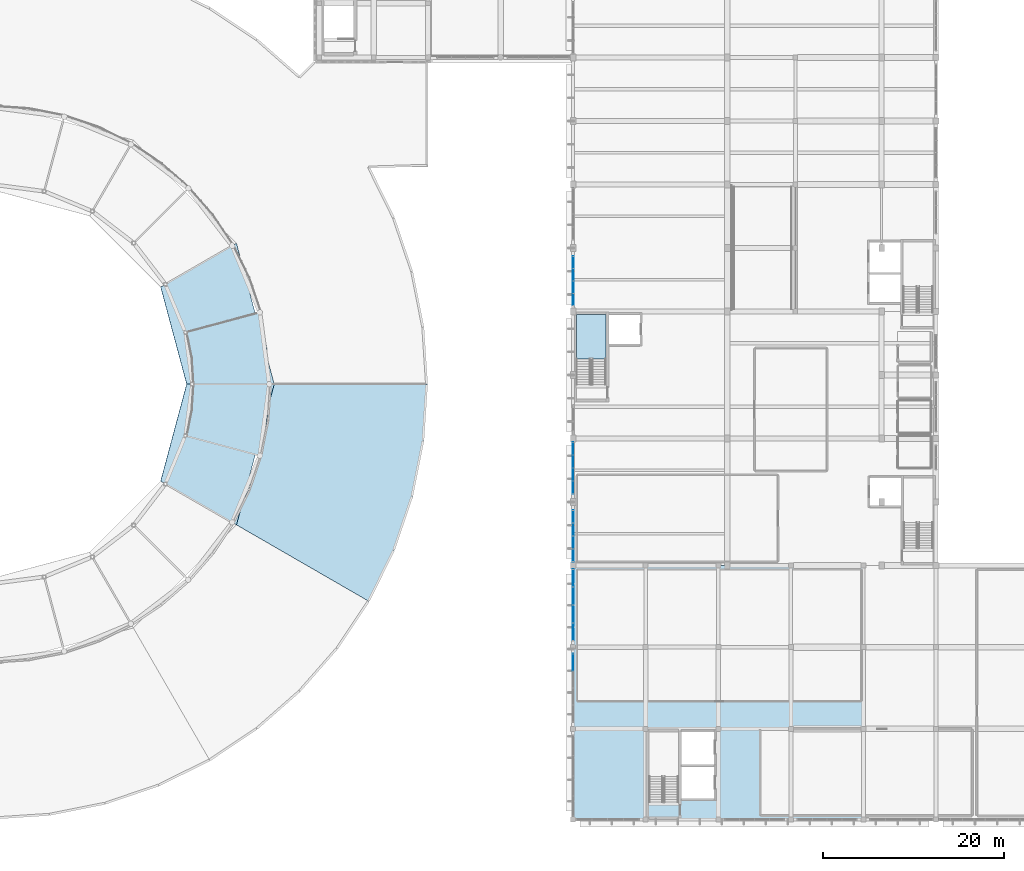
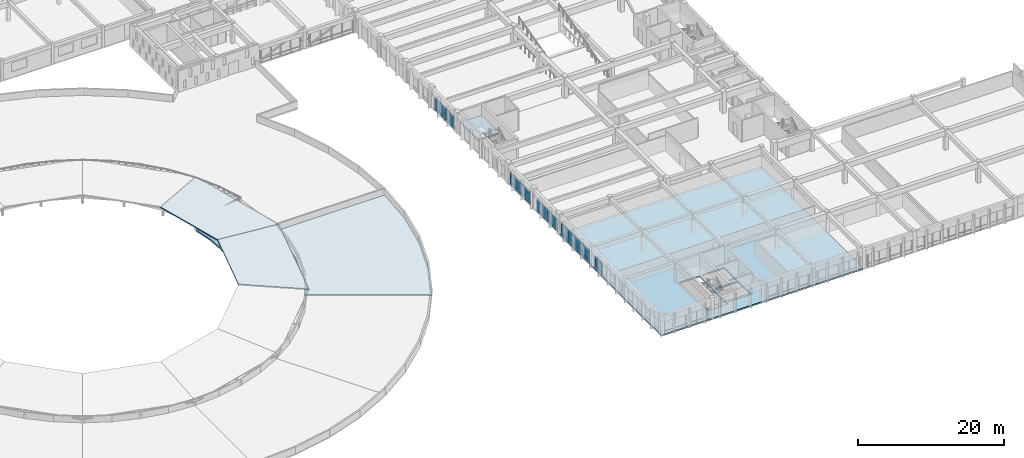
# One storey, part 46 of 77: 34 plates, 6 slabs, 8 elements without a shape of their own.
"""IFC4 building model written with IfcOpenShell, lengths in metres."""

from ifc_helpers import new_model, si_unit, direction, frame, origin, origin_2d, place, context, subcontext, project, spatial, polyline, rectangle, outline, extrude, material, layer, layer_set, type_object, element, aggregate, save


model = new_model("IFC4")

# Units and contexts
model_context = context("Model", 3, precision=1e-05, world=origin(), true_north=direction((0.0, 1.0)))
body_context = subcontext(model_context, "Body", "Model", "MODEL_VIEW")
ifc_project = project(units=[si_unit("LENGTHUNIT", "METRE"), si_unit("AREAUNIT", "SQUARE_METRE"), si_unit("VOLUMEUNIT", "CUBIC_METRE"), si_unit("PLANEANGLEUNIT", "RADIAN"), si_unit("MASSUNIT", "GRAM", prefix="KILO")], contexts=[model_context])

# Site, building, storey
site_placement = place(None, origin())
site = spatial("IfcSite", under=ifc_project, at=site_placement, CompositionType="ELEMENT")
building_placement = place(site_placement, origin())
building = spatial("IfcBuilding", under=site, at=building_placement, Name="Larkveld Mobility Hub", CompositionType="ELEMENT")
storey_placement = place(building_placement, frame((0.0, 0.0, 12.0)))
storey = spatial("IfcBuildingStorey", under=building, at=storey_placement, Name="L03", CompositionType="ELEMENT", Elevation=12.0)

# Curtain wall, plates
ifc_material_1 = material(Name="Anodised aluminium 6063-T6", Category="aluminium")
curtain_wall_type_1 = type_object("IfcCurtainWallType", Name="CW-SYS-10", PredefinedType="NOTDEFINED", material=ifc_material_1)
curtain_wall_1_placement = place(storey_placement, origin())
curtain_wall_1 = element("IfcCurtainWall", 1, at=curtain_wall_1_placement, inside=storey, type_object=curtain_wall_type_1, Name="EV Wing West Glazing L03 CW-142", PredefinedType="NOTDEFINED")
ifc_material_2 = material(Name="Low-E laminated solar-control double glazing", Category="glass")
ifc_layer_1 = layer(ifc_material_2, 0.028076171875, Name="Low-E laminated solar-control double glazing", Category="glass")
ifc_layer_set_1 = layer_set([ifc_layer_1], Name="Low-E laminated solar-control double glazing")
plate_type_1 = type_object("IfcPlateType", Name="CW-PNL-GL01", PredefinedType="CURTAIN_PANEL", material=ifc_layer_set_1)
plate_1_placement = place(storey_placement, frame((112.0, 33.37890625, 0.552001953125), z_axis=(0.0, 0.0, 1.0), x_axis=(0.0, -1.0, 0.0)))
plate_1 = element("IfcPlate", 2, at=plate_1_placement, type_object=plate_type_1, Name="CW10 panel 1", PredefinedType="CURTAIN_PANEL", context=body_context, shape_type="SweptSolid", body=[
    extrude(rectangle(XDim=1.39208984375, YDim=0.028076171875, at=origin_2d()), origin(), (0.0, 0.0, 1.0), 1.6259765625),
])
plate_2_placement = place(storey_placement, frame((112.0, 31.966064453125, 0.552001953125), z_axis=(0.0, 0.0, 1.0), x_axis=(0.0, -1.0, 0.0)))
plate_2 = element("IfcPlate", 3, at=plate_2_placement, type_object=plate_type_1, Name="CW10 panel 2", PredefinedType="CURTAIN_PANEL", context=body_context, shape_type="SweptSolid", body=[
    extrude(rectangle(XDim=1.412109375, YDim=0.028076171875, at=origin_2d()), origin(), (0.0, 0.0, 1.0), 1.6259765625),
])
plate_3_placement = place(storey_placement, frame((112.0, 30.5439453125, 0.552001953125), z_axis=(0.0, 0.0, 1.0), x_axis=(0.0, -1.0, 0.0)))
plate_3 = element("IfcPlate", 4, at=plate_3_placement, type_object=plate_type_1, Name="CW10 panel 3", PredefinedType="CURTAIN_PANEL", context=body_context, shape_type="SweptSolid", body=[
    extrude(rectangle(XDim=1.412109375, YDim=0.028076171875, at=origin_2d()), origin(), (0.0, 0.0, 1.0), 1.6259765625),
])
plate_4_placement = place(storey_placement, frame((112.0, 29.132080078125, 0.552001953125), z_axis=(0.0, 0.0, 1.0), x_axis=(0.0, -1.0, 0.0)))
plate_4 = element("IfcPlate", 5, at=plate_4_placement, type_object=plate_type_1, Name="CW10 panel 4", PredefinedType="CURTAIN_PANEL", context=body_context, shape_type="SweptSolid", body=[
    extrude(rectangle(XDim=1.39208984375, YDim=0.028076171875, at=origin_2d()), origin(), (0.0, 0.0, 1.0), 1.6259765625),
])

curtain_wall_type_2 = type_object("IfcCurtainWallType", Name="CW-SYS-02", PredefinedType="NOTDEFINED", material=ifc_material_1)
curtain_wall_2_placement = place(storey_placement, origin())
curtain_wall_2 = element("IfcCurtainWall", 6, at=curtain_wall_2_placement, inside=storey, type_object=curtain_wall_type_2, Name="Public Passage East Service Facade L03 CW-122", PredefinedType="NOTDEFINED")
ifc_material_3 = material(Name="Acoustic solar-control laminated double glazing", Category="glass")
ifc_layer_2 = layer(ifc_material_3, 0.031982421875, Name="Acoustic solar-control laminated double glazing", Category="glass")
ifc_layer_set_2 = layer_set([ifc_layer_2], Name="Acoustic solar-control laminated double glazing")
plate_type_2 = type_object("IfcPlateType", Name="CW-PNL-GL02", PredefinedType="CURTAIN_PANEL", material=ifc_layer_set_2)
plate_5_placement = place(storey_placement, frame((112.0, 26.595947265625, 0.552001953125), z_axis=(0.0, 0.0, 1.0), x_axis=(0.0, -1.0, 0.0)))
plate_5 = element("IfcPlate", 7, at=plate_5_placement, type_object=plate_type_2, Name="CW02 panel 1", PredefinedType="CURTAIN_PANEL", context=body_context, shape_type="SweptSolid", body=[
    extrude(rectangle(XDim=1.93896484375, YDim=0.031982421875, at=origin_2d()), origin(), (0.0, 0.0, 1.0), 1.6259765625),
])
plate_6_placement = place(storey_placement, frame((112.0, 24.636962890625, 0.552001953125), z_axis=(0.0, 0.0, 1.0), x_axis=(0.0, -1.0, 0.0)))
plate_6 = element("IfcPlate", 8, at=plate_6_placement, type_object=plate_type_2, Name="CW02 panel 2", PredefinedType="CURTAIN_PANEL", context=body_context, shape_type="SweptSolid", body=[
    extrude(rectangle(XDim=1.958984375, YDim=0.031982421875, at=origin_2d()), origin(), (0.0, 0.0, 1.0), 1.6259765625),
])
plate_7_placement = place(storey_placement, frame((112.0, 22.66796875, 0.552001953125), z_axis=(0.0, 0.0, 1.0), x_axis=(0.0, -1.0, 0.0)))
plate_7 = element("IfcPlate", 9, at=plate_7_placement, type_object=plate_type_2, Name="CW02 panel 3", PredefinedType="CURTAIN_PANEL", context=body_context, shape_type="SweptSolid", body=[
    extrude(rectangle(XDim=1.958984375, YDim=0.031982421875, at=origin_2d()), origin(), (0.0, 0.0, 1.0), 1.6259765625),
])
plate_8_placement = place(storey_placement, frame((112.0, 20.708984375, 0.552001953125), z_axis=(0.0, 0.0, 1.0), x_axis=(0.0, -1.0, 0.0)))
plate_8 = element("IfcPlate", 10, at=plate_8_placement, type_object=plate_type_2, Name="CW02 panel 4", PredefinedType="CURTAIN_PANEL", context=body_context, shape_type="SweptSolid", body=[
    extrude(rectangle(XDim=1.93896484375, YDim=0.031982421875, at=origin_2d()), origin(), (0.0, 0.0, 1.0), 1.6259765625),
])

# Curtain wall, plate
curtain_wall_type_3 = type_object("IfcCurtainWallType", Name="CW-SYS-03", PredefinedType="NOTDEFINED", material=ifc_material_1)
curtain_wall_3_placement = place(storey_placement, origin())
curtain_wall_3 = element("IfcCurtainWall", 11, at=curtain_wall_3_placement, inside=storey, type_object=curtain_wall_type_3, Name="Public Passage East Service Facade L03 CW-123", PredefinedType="NOTDEFINED")
ifc_material_4 = material(Name="Tinted safety double glazing", Category="glass")
ifc_layer_3 = layer(ifc_material_4, 0.035888671875, Name="Tinted safety double glazing", Category="glass")
ifc_layer_set_3 = layer_set([ifc_layer_3], Name="Tinted safety double glazing")
plate_type_3 = type_object("IfcPlateType", Name="CW-PNL-GL03", PredefinedType="CURTAIN_PANEL", material=ifc_layer_set_3)
plate_9_placement = place(storey_placement, frame((112.0, 17.327880859375, 0.552001953125), z_axis=(0.0, 0.0, 1.0), x_axis=(0.0, -1.0, 0.0)))
plate_9 = element("IfcPlate", 12, at=plate_9_placement, type_object=plate_type_3, Name="CW03 panel 1", PredefinedType="CURTAIN_PANEL", context=body_context, shape_type="SweptSolid", body=[
    extrude(rectangle(XDim=1.863037109375, YDim=0.035888671875, at=origin_2d()), origin(), (0.0, 0.0, 1.0), 1.6259765625),
])

# Curtain wall, plates
curtain_wall_type_4 = type_object("IfcCurtainWallType", Name="CW-SYS-09", PredefinedType="NOTDEFINED", material=ifc_material_1)
curtain_wall_4_placement = place(storey_placement, origin())
curtain_wall_4 = element("IfcCurtainWall", 13, at=curtain_wall_4_placement, inside=storey, type_object=curtain_wall_type_4, Name="EV Wing West Glazing L03 CW-141", PredefinedType="NOTDEFINED")
plate_10_placement = place(storey_placement, frame((112.0, 40.868896484375, 0.552001953125), z_axis=(0.0, 0.0, 1.0), x_axis=(0.0, -1.0, 0.0)))
plate_10 = element("IfcPlate", 14, at=plate_10_placement, type_object=plate_type_3, Name="CW09 panel 1", PredefinedType="CURTAIN_PANEL", context=body_context, shape_type="SweptSolid", body=[
    extrude(rectangle(XDim=1.39208984375, YDim=0.035888671875, at=origin_2d()), origin(), (0.0, 0.0, 1.0), 1.6259765625),
])
plate_11_placement = place(storey_placement, frame((112.0, 39.4560546875, 0.552001953125), z_axis=(0.0, 0.0, 1.0), x_axis=(0.0, -1.0, 0.0)))
plate_11 = element("IfcPlate", 15, at=plate_11_placement, type_object=plate_type_3, Name="CW09 panel 2", PredefinedType="CURTAIN_PANEL", context=body_context, shape_type="SweptSolid", body=[
    extrude(rectangle(XDim=1.412109375, YDim=0.035888671875, at=origin_2d()), origin(), (0.0, 0.0, 1.0), 1.6259765625),
])
plate_12_placement = place(storey_placement, frame((112.0, 38.033935546875, 0.552001953125), z_axis=(0.0, 0.0, 1.0), x_axis=(0.0, -1.0, 0.0)))
plate_12 = element("IfcPlate", 16, at=plate_12_placement, type_object=plate_type_3, Name="CW09 panel 3", PredefinedType="CURTAIN_PANEL", context=body_context, shape_type="SweptSolid", body=[
    extrude(rectangle(XDim=1.412109375, YDim=0.035888671875, at=origin_2d()), origin(), (0.0, 0.0, 1.0), 1.6259765625),
])
plate_13_placement = place(storey_placement, frame((112.0, 36.62109375, 0.552001953125), z_axis=(0.0, 0.0, 1.0), x_axis=(0.0, -1.0, 0.0)))
plate_13 = element("IfcPlate", 17, at=plate_13_placement, type_object=plate_type_3, Name="CW09 panel 4", PredefinedType="CURTAIN_PANEL", context=body_context, shape_type="SweptSolid", body=[
    extrude(rectangle(XDim=1.39208984375, YDim=0.035888671875, at=origin_2d()), origin(), (0.0, 0.0, 1.0), 1.6259765625),
])

curtain_wall_type_5 = type_object("IfcCurtainWallType", Name="CW-SYS-12", PredefinedType="NOTDEFINED", material=ifc_material_1)
curtain_wall_5_placement = place(storey_placement, origin())
curtain_wall_5 = element("IfcCurtainWall", 18, at=curtain_wall_5_placement, inside=storey, type_object=curtain_wall_type_5, Name="EV Wing West Glazing L03 CW-144", PredefinedType="NOTDEFINED")
plate_14_placement = place(storey_placement, frame((112.0, 61.406982421875, 0.552001953125), z_axis=(0.0, 0.0, 1.0), x_axis=(0.0, -1.0, 0.0)))
plate_14 = element("IfcPlate", 19, at=plate_14_placement, type_object=plate_type_3, Name="CW12 panel 1", PredefinedType="CURTAIN_PANEL", context=body_context, shape_type="SweptSolid", body=[
    extrude(rectangle(XDim=1.3349609375, YDim=0.035888671875, at=origin_2d()), origin(), (0.0, 0.0, 1.0), 1.6259765625),
])
plate_15_placement = place(storey_placement, frame((112.0, 60.052001953125, 0.552001953125), z_axis=(0.0, 0.0, 1.0), x_axis=(0.0, -1.0, 0.0)))
plate_15 = element("IfcPlate", 20, at=plate_15_placement, type_object=plate_type_3, Name="CW12 panel 2", PredefinedType="CURTAIN_PANEL", context=body_context, shape_type="SweptSolid", body=[
    extrude(rectangle(XDim=1.35498046875, YDim=0.035888671875, at=origin_2d()), origin(), (0.0, 0.0, 1.0), 1.6259765625),
])
plate_16_placement = place(storey_placement, frame((112.0, 58.68798828125, 0.552001953125), z_axis=(0.0, 0.0, 1.0), x_axis=(0.0, -1.0, 0.0)))
plate_16 = element("IfcPlate", 21, at=plate_16_placement, type_object=plate_type_3, Name="CW12 panel 3", PredefinedType="CURTAIN_PANEL", context=body_context, shape_type="SweptSolid", body=[
    extrude(rectangle(XDim=1.35498046875, YDim=0.035888671875, at=origin_2d()), origin(), (0.0, 0.0, 1.0), 1.6259765625),
])
plate_17_placement = place(storey_placement, frame((112.0, 57.33203125, 0.552001953125), z_axis=(0.0, 0.0, 1.0), x_axis=(0.0, -1.0, 0.0)))
plate_17 = element("IfcPlate", 22, at=plate_17_placement, type_object=plate_type_3, Name="CW12 panel 4", PredefinedType="CURTAIN_PANEL", context=body_context, shape_type="SweptSolid", body=[
    extrude(rectangle(XDim=1.3349609375, YDim=0.035888671875, at=origin_2d()), origin(), (0.0, 0.0, 1.0), 1.6259765625),
])

# Plate
ifc_material_5 = material(Name="Insulated fluoropolymer aluminium spandrel", Category="aluminium")
ifc_layer_4 = layer(ifc_material_5, 0.06494140625, Name="Insulated fluoropolymer aluminium spandrel", Category="aluminium")
ifc_layer_set_4 = layer_set([ifc_layer_4], Name="Insulated fluoropolymer aluminium spandrel")
plate_type_4 = type_object("IfcPlateType", Name="CW-PNL-SP01", PredefinedType="CURTAIN_PANEL", material=ifc_layer_set_4)
plate_18_placement = place(storey_placement, frame((112.0, 17.327880859375, 0.0), z_axis=(0.0, 0.0, 1.0), x_axis=(0.0, -1.0, 0.0)))
plate_18 = element("IfcPlate", 23, at=plate_18_placement, type_object=plate_type_4, Name="CW03 spandrel 1", PredefinedType="CURTAIN_PANEL", context=body_context, shape_type="SweptSolid", body=[
    extrude(rectangle(XDim=1.863037109375, YDim=0.06494140625, at=origin_2d()), origin(), (0.0, 0.0, 1.0), 0.5400390625),
])

aggregate(curtain_wall_3, [plate_18, plate_9])

plate_19_placement = place(storey_placement, frame((112.0, 40.868896484375, 0.0), z_axis=(0.0, 0.0, 1.0), x_axis=(0.0, -1.0, 0.0)))
plate_19 = element("IfcPlate", 24, at=plate_19_placement, type_object=plate_type_4, Name="CW09 spandrel 1", PredefinedType="CURTAIN_PANEL", context=body_context, shape_type="SweptSolid", body=[
    extrude(rectangle(XDim=1.39208984375, YDim=0.06494140625, at=origin_2d()), origin(), (0.0, 0.0, 1.0), 0.5400390625),
])

plate_20_placement = place(storey_placement, frame((112.0, 39.4560546875, 0.0), z_axis=(0.0, 0.0, 1.0), x_axis=(0.0, -1.0, 0.0)))
plate_20 = element("IfcPlate", 25, at=plate_20_placement, type_object=plate_type_4, Name="CW09 spandrel 2", PredefinedType="CURTAIN_PANEL", context=body_context, shape_type="SweptSolid", body=[
    extrude(rectangle(XDim=1.412109375, YDim=0.06494140625, at=origin_2d()), origin(), (0.0, 0.0, 1.0), 0.5400390625),
])

plate_21_placement = place(storey_placement, frame((112.0, 38.033935546875, 0.0), z_axis=(0.0, 0.0, 1.0), x_axis=(0.0, -1.0, 0.0)))
plate_21 = element("IfcPlate", 26, at=plate_21_placement, type_object=plate_type_4, Name="CW09 spandrel 3", PredefinedType="CURTAIN_PANEL", context=body_context, shape_type="SweptSolid", body=[
    extrude(rectangle(XDim=1.412109375, YDim=0.06494140625, at=origin_2d()), origin(), (0.0, 0.0, 1.0), 0.5400390625),
])

plate_22_placement = place(storey_placement, frame((112.0, 36.62109375, 0.0), z_axis=(0.0, 0.0, 1.0), x_axis=(0.0, -1.0, 0.0)))
plate_22 = element("IfcPlate", 27, at=plate_22_placement, type_object=plate_type_4, Name="CW09 spandrel 4", PredefinedType="CURTAIN_PANEL", context=body_context, shape_type="SweptSolid", body=[
    extrude(rectangle(XDim=1.39208984375, YDim=0.06494140625, at=origin_2d()), origin(), (0.0, 0.0, 1.0), 0.5400390625),
])

aggregate(curtain_wall_4, [plate_19, plate_10, plate_20, plate_11, plate_21, plate_12, plate_22, plate_13])

ifc_material_6 = material(Name="Insulated terracotta-toned aluminium spandrel", Category="masonry")
ifc_layer_5 = layer(ifc_material_6, 0.080078125, Name="Insulated terracotta-toned aluminium spandrel", Category="masonry")
ifc_layer_set_5 = layer_set([ifc_layer_5], Name="Insulated terracotta-toned aluminium spandrel")
plate_type_5 = type_object("IfcPlateType", Name="CW-PNL-SP02", PredefinedType="CURTAIN_PANEL", material=ifc_layer_set_5)
plate_23_placement = place(storey_placement, frame((112.0, 26.595947265625, 0.0), z_axis=(0.0, 0.0, 1.0), x_axis=(0.0, -1.0, 0.0)))
plate_23 = element("IfcPlate", 28, at=plate_23_placement, type_object=plate_type_5, Name="CW02 spandrel 1", PredefinedType="CURTAIN_PANEL", context=body_context, shape_type="SweptSolid", body=[
    extrude(rectangle(XDim=1.93896484375, YDim=0.080078125, at=origin_2d()), origin(), (0.0, 0.0, 1.0), 0.5400390625),
])

plate_24_placement = place(storey_placement, frame((112.0, 24.636962890625, 0.0), z_axis=(0.0, 0.0, 1.0), x_axis=(0.0, -1.0, 0.0)))
plate_24 = element("IfcPlate", 29, at=plate_24_placement, type_object=plate_type_5, Name="CW02 spandrel 2", PredefinedType="CURTAIN_PANEL", context=body_context, shape_type="SweptSolid", body=[
    extrude(rectangle(XDim=1.958984375, YDim=0.080078125, at=origin_2d()), origin(), (0.0, 0.0, 1.0), 0.5400390625),
])

plate_25_placement = place(storey_placement, frame((112.0, 22.66796875, 0.0), z_axis=(0.0, 0.0, 1.0), x_axis=(0.0, -1.0, 0.0)))
plate_25 = element("IfcPlate", 30, at=plate_25_placement, type_object=plate_type_5, Name="CW02 spandrel 3", PredefinedType="CURTAIN_PANEL", context=body_context, shape_type="SweptSolid", body=[
    extrude(rectangle(XDim=1.958984375, YDim=0.080078125, at=origin_2d()), origin(), (0.0, 0.0, 1.0), 0.5400390625),
])

plate_26_placement = place(storey_placement, frame((112.0, 20.708984375, 0.0), z_axis=(0.0, 0.0, 1.0), x_axis=(0.0, -1.0, 0.0)))
plate_26 = element("IfcPlate", 31, at=plate_26_placement, type_object=plate_type_5, Name="CW02 spandrel 4", PredefinedType="CURTAIN_PANEL", context=body_context, shape_type="SweptSolid", body=[
    extrude(rectangle(XDim=1.93896484375, YDim=0.080078125, at=origin_2d()), origin(), (0.0, 0.0, 1.0), 0.5400390625),
])

aggregate(curtain_wall_2, [plate_23, plate_5, plate_24, plate_6, plate_25, plate_7, plate_26, plate_8])

plate_27_placement = place(storey_placement, frame((112.0, 33.37890625, 0.0), z_axis=(0.0, 0.0, 1.0), x_axis=(0.0, -1.0, 0.0)))
plate_27 = element("IfcPlate", 32, at=plate_27_placement, type_object=plate_type_5, Name="CW10 spandrel 1", PredefinedType="CURTAIN_PANEL", context=body_context, shape_type="SweptSolid", body=[
    extrude(rectangle(XDim=1.39208984375, YDim=0.080078125, at=origin_2d()), origin(), (0.0, 0.0, 1.0), 0.5400390625),
])

plate_28_placement = place(storey_placement, frame((112.0, 31.966064453125, 0.0), z_axis=(0.0, 0.0, 1.0), x_axis=(0.0, -1.0, 0.0)))
plate_28 = element("IfcPlate", 33, at=plate_28_placement, type_object=plate_type_5, Name="CW10 spandrel 2", PredefinedType="CURTAIN_PANEL", context=body_context, shape_type="SweptSolid", body=[
    extrude(rectangle(XDim=1.412109375, YDim=0.080078125, at=origin_2d()), origin(), (0.0, 0.0, 1.0), 0.5400390625),
])

plate_29_placement = place(storey_placement, frame((112.0, 30.5439453125, 0.0), z_axis=(0.0, 0.0, 1.0), x_axis=(0.0, -1.0, 0.0)))
plate_29 = element("IfcPlate", 34, at=plate_29_placement, type_object=plate_type_5, Name="CW10 spandrel 3", PredefinedType="CURTAIN_PANEL", context=body_context, shape_type="SweptSolid", body=[
    extrude(rectangle(XDim=1.412109375, YDim=0.080078125, at=origin_2d()), origin(), (0.0, 0.0, 1.0), 0.5400390625),
])

plate_30_placement = place(storey_placement, frame((112.0, 29.132080078125, 0.0), z_axis=(0.0, 0.0, 1.0), x_axis=(0.0, -1.0, 0.0)))
plate_30 = element("IfcPlate", 35, at=plate_30_placement, type_object=plate_type_5, Name="CW10 spandrel 4", PredefinedType="CURTAIN_PANEL", context=body_context, shape_type="SweptSolid", body=[
    extrude(rectangle(XDim=1.39208984375, YDim=0.080078125, at=origin_2d()), origin(), (0.0, 0.0, 1.0), 0.5400390625),
])

aggregate(curtain_wall_1, [plate_27, plate_1, plate_28, plate_2, plate_29, plate_3, plate_30, plate_4])

plate_31_placement = place(storey_placement, frame((112.0, 61.406982421875, 0.0), z_axis=(0.0, 0.0, 1.0), x_axis=(0.0, -1.0, 0.0)))
plate_31 = element("IfcPlate", 36, at=plate_31_placement, type_object=plate_type_5, Name="CW12 spandrel 1", PredefinedType="CURTAIN_PANEL", context=body_context, shape_type="SweptSolid", body=[
    extrude(rectangle(XDim=1.3349609375, YDim=0.080078125, at=origin_2d()), origin(), (0.0, 0.0, 1.0), 0.5400390625),
])

plate_32_placement = place(storey_placement, frame((112.0, 60.052001953125, 0.0), z_axis=(0.0, 0.0, 1.0), x_axis=(0.0, -1.0, 0.0)))
plate_32 = element("IfcPlate", 37, at=plate_32_placement, type_object=plate_type_5, Name="CW12 spandrel 2", PredefinedType="CURTAIN_PANEL", context=body_context, shape_type="SweptSolid", body=[
    extrude(rectangle(XDim=1.35498046875, YDim=0.080078125, at=origin_2d()), origin(), (0.0, 0.0, 1.0), 0.5400390625),
])

plate_33_placement = place(storey_placement, frame((112.0, 58.68798828125, 0.0), z_axis=(0.0, 0.0, 1.0), x_axis=(0.0, -1.0, 0.0)))
plate_33 = element("IfcPlate", 38, at=plate_33_placement, type_object=plate_type_5, Name="CW12 spandrel 3", PredefinedType="CURTAIN_PANEL", context=body_context, shape_type="SweptSolid", body=[
    extrude(rectangle(XDim=1.35498046875, YDim=0.080078125, at=origin_2d()), origin(), (0.0, 0.0, 1.0), 0.5400390625),
])

plate_34_placement = place(storey_placement, frame((112.0, 57.33203125, 0.0), z_axis=(0.0, 0.0, 1.0), x_axis=(0.0, -1.0, 0.0)))
plate_34 = element("IfcPlate", 39, at=plate_34_placement, type_object=plate_type_5, Name="CW12 spandrel 4", PredefinedType="CURTAIN_PANEL", context=body_context, shape_type="SweptSolid", body=[
    extrude(rectangle(XDim=1.3349609375, YDim=0.080078125, at=origin_2d()), origin(), (0.0, 0.0, 1.0), 0.5400390625),
])

aggregate(curtain_wall_5, [plate_31, plate_14, plate_32, plate_15, plate_33, plate_16, plate_34, plate_17])

# Slabs
ifc_material_7 = material(Name="Concrete C40/50", Category="concrete")
ifc_layer_6 = layer(ifc_material_7, 0.260009765625, Name="Concrete C40/50", Category="concrete")
ifc_layer_set_6 = layer_set([ifc_layer_6], Name="Concrete C40/50")
slab_type_1 = type_object("IfcSlabType", Name="SL-CON-260", PredefinedType="FLOOR", material=ifc_layer_set_6)
slab_1_placement = place(storey_placement, frame((0.0, 0.0, -0.260009765625)))
element("IfcSlab", 40, at=slab_1_placement, inside=storey, type_object=slab_type_1, Name="Helical Ramp Top Arrival Landing L03 L03-162", PredefinedType="FLOOR", context=body_context, shape_type="SweptSolid", body=[
    extrude(outline(polyline([(77.4609375, 40.10595703125), (78.239013671875, 44.01904296875), (78.5, 48.0), (78.239013671875, 51.98095703125), (77.4609375, 55.89404296875), (69.25, 53.694091796875), (69.81201171875, 50.8720703125), (70.0, 48.0), (69.81201171875, 45.1279296875), (69.25, 42.305908203125), (77.4609375, 40.10595703125)])), origin(), (0.0, 0.0, 1.0), 0.260009765625),
])
ifc_layer_7 = layer(ifc_material_7, 0.25, Name="Concrete C40/50", Category="concrete")
ifc_layer_set_7 = layer_set([ifc_layer_7], Name="Concrete C40/50")
slab_type_2 = type_object("IfcSlabType", Name="SL-FLR-250", PredefinedType="FLOOR", material=ifc_layer_set_7)
slab_2_placement = place(storey_placement, frame((0.0, 0.0, -0.25)))
element("IfcSlab", 41, at=slab_2_placement, inside=storey, type_object=slab_type_2, Name="Service Centre Slab L03-125", PredefinedType="FLOOR", context=body_context, shape_type="SweptSolid", body=[
    extrude(outline(polyline([(112.0, 0.0), (144.0, 0.0), (144.0, 28.0), (112.0, 28.0), (112.0, 0.0)]), holes=[polyline([(120.35009765625, 1.89990234375), (120.35009765625, 9.64990234375), (123.60009765625, 9.64990234375), (123.60009765625, 1.89990234375), (120.35009765625, 1.89990234375)]), polyline([(123.93994140625, 6.06005859375), (123.93994140625, 9.64990234375), (127.5400390625, 9.64990234375), (127.5400390625, 6.06005859375), (123.93994140625, 6.06005859375)]), polyline([(123.93994140625, 2.300048828125), (123.93994140625, 5.840087890625), (127.5400390625, 5.840087890625), (127.5400390625, 2.300048828125), (123.93994140625, 2.300048828125)])]), origin(), (0.0, 0.0, 1.0), 0.25),
])

# Stair, slab
stair_type = type_object("IfcStairType", Name="ST-HT-03", PredefinedType="HALF_TURN_STAIR", material=ifc_material_7)
stair_placement = place(storey_placement, origin())
stair = element("IfcStair", 42, at=stair_placement, inside=storey, type_object=stair_type, Name="L03 Protected Escape Stair ST3", PredefinedType="HALF_TURN_STAIR")
ifc_layer_8 = layer(ifc_material_7, 0.195068359375, Name="Concrete C40/50", Category="concrete")
ifc_layer_set_8 = layer_set([ifc_layer_8], Name="Concrete C40/50")
slab_type_3 = type_object("IfcSlabType", Name="SL-LND-03", PredefinedType="LANDING", material=ifc_layer_set_8)
slab_3_placement = place(storey_placement, frame((0.0, 0.0, 1.60498046875)))
slab_3 = element("IfcSlab", 43, at=slab_3_placement, type_object=slab_type_3, Name="ST3 landing 1", PredefinedType="LANDING", context=body_context, shape_type="SweptSolid", body=[
    extrude(outline(polyline([(115.639892578125, 50.77001953125), (115.639892578125, 55.64990234375), (112.35009765625, 55.64990234375), (112.35009765625, 50.77001953125), (115.639892578125, 50.77001953125)])), origin(), (0.0, 0.0, 1.0), 0.195068359375),
])
aggregate(stair, [slab_3])

# Roof, slab
ifc_material_8 = material(Name="Precast concrete C50/60", Category="concrete")
roof_type = type_object("IfcRoofType", Name="ROF-HIP-01", PredefinedType="HIP_ROOF", material=ifc_material_8)
roof_1_placement = place(storey_placement, origin())
roof_1 = element("IfcRoof", 44, at=roof_1_placement, inside=storey, type_object=roof_type, Name="Central Drum Clerestory Canopy Sector 1", PredefinedType="HIP_ROOF")
ifc_layer_9 = layer(ifc_material_8, 0.155029296875, Name="Precast concrete C50/60", Category="concrete")
ifc_layer_set_9 = layer_set([ifc_layer_9], Name="Precast concrete C50/60")
slab_type_4 = type_object("IfcSlabType", Name="SL-RF-CAN155", PredefinedType="ROOF", material=ifc_layer_set_9)
slab_4_placement = place(storey_placement, frame((79.050048828125, 48.0, 0.949951171875), z_axis=(0.082603101911, 0.022133973973, 0.996336697483), x_axis=(-0.258834716338, 0.965921627057, 8.69483e-07)))
slab_4 = element("IfcSlab", 45, at=slab_4_placement, type_object=slab_type_4, Name="Central Drum Sloped Clerestory Canopy Slab 1.1", PredefinedType="ROOF", context=body_context, shape_type="SweptSolid", body=[
    extrude(outline(polyline([(0.0, 0.0), (16.07263179467481, -8.881784197001252e-16), (13.57517234009126, 9.355280182935408), (2.4977936235366682, 9.355556226719083), (0.0, 0.0)])), origin(), (0.0, 0.0, -1.0), 0.155029296875),
])
aggregate(roof_1, [slab_4])

roof_2_placement = place(storey_placement, origin())
roof_2 = element("IfcRoof", 46, at=roof_2_placement, inside=storey, type_object=roof_type, Name="Central Drum Clerestory Canopy Sector 6", PredefinedType="HIP_ROOF")
slab_5_placement = place(storey_placement, frame((74.889892578125, 32.47509765625, 0.949951171875), z_axis=(0.082603101911, -0.022133973973, 0.996336697483), x_axis=(0.258834716338, 0.965921627057, -8.69483e-07)))
slab_5 = element("IfcSlab", 47, at=slab_5_placement, type_object=slab_type_4, Name="Central Drum Sloped Clerestory Canopy Slab 6.2", PredefinedType="ROOF", context=body_context, shape_type="SweptSolid", body=[
    extrude(outline(polyline([(0.0, 0.0), (16.07263179467481, 8.881784197001252e-16), (13.574838171138142, 9.355556226719084), (2.497459454583548, 9.35528018293541), (0.0, 0.0)])), origin(), (0.0, 0.0, -1.0), 0.155029296875),
])
aggregate(roof_2, [slab_5])

# Slab
ifc_layer_10 = layer(ifc_material_7, 0.219970703125, Name="Concrete C40/50", Category="concrete")
ifc_layer_set_10 = layer_set([ifc_layer_10], Name="Concrete C40/50")
slab_type_5 = type_object("IfcSlabType", Name="SL-RF-FLT220", PredefinedType="ROOF", material=ifc_layer_set_10)
slab_6_placement = place(storey_placement, frame((0.0, 0.0, -0.219970703125)))
element("IfcSlab", 48, at=slab_6_placement, inside=storey, type_object=slab_type_5, Name="Drum Flat Roof Slab L03-084", PredefinedType="ROOF", context=body_context, shape_type="SweptSolid", body=[
    extrude(outline(polyline([(89.5, 24.0400390625), (92.27197265625, 29.662109375), (94.287109375, 35.596923828125), (95.510009765625, 41.7451171875), (95.919921875, 48.0), (78.5, 48.0), (78.239013671875, 44.01904296875), (77.4609375, 40.10595703125), (76.177978515625, 36.327880859375), (74.4140625, 32.75), (89.5, 24.0400390625)])), origin(), (0.0, 0.0, 1.0), 0.219970703125),
])

save(model, "model.ifc")
